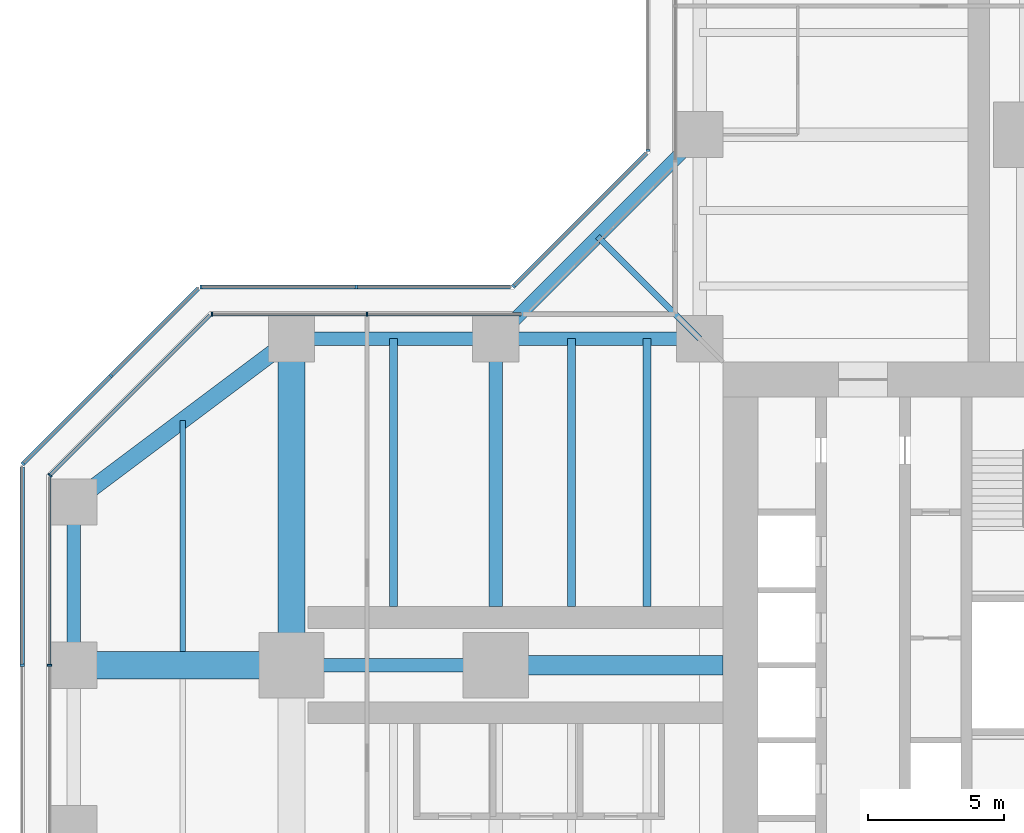
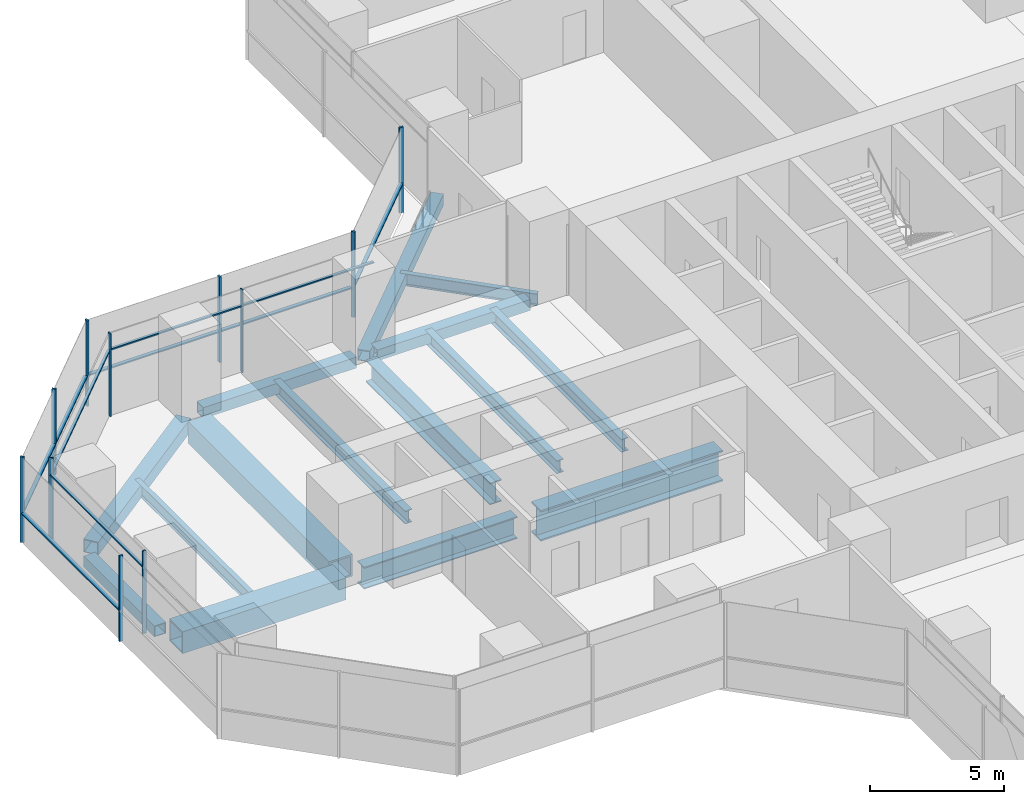
# One storey, part 8 of 22: 21 members, 15 beams, 8 elements without a shape of their own.
"""IFC4 building model written with IfcOpenShell, lengths in metres."""

from ifc_helpers import new_model, si_unit, direction, frame, origin, origin_2d, place, context, subcontext, project, spatial, rectangle, hollow_rectangle, i_section, extrude, material, material_profile, profile_set, type_object, element, aggregate, save


model = new_model("IFC4")

# Units and contexts
model_context = context("Model", 3, precision=1e-05, world=origin(), true_north=direction((0.0, 1.0)))
body_context = subcontext(model_context, "Body", "Model", "MODEL_VIEW")
ifc_project = project(units=[si_unit("LENGTHUNIT", "METRE"), si_unit("AREAUNIT", "SQUARE_METRE"), si_unit("VOLUMEUNIT", "CUBIC_METRE"), si_unit("PLANEANGLEUNIT", "RADIAN"), si_unit("MASSUNIT", "GRAM", prefix="KILO")], contexts=[model_context])

# Site, building, storey
site_placement = place(None, origin())
site = spatial("IfcSite", under=ifc_project, at=site_placement, CompositionType="ELEMENT")
building_placement = place(site_placement, origin())
building = spatial("IfcBuilding", under=site, at=building_placement, Name="Mizan Broadcast Tower", CompositionType="ELEMENT")
storey_placement = place(building_placement, frame((0.0, 0.0, 47.39990234375)))
storey = spatial("IfcBuildingStorey", under=building, at=storey_placement, Name="L08", CompositionType="ELEMENT", Elevation=47.39990234375)

# Beams
ifc_material_1 = material(Name="Steel S355", Category="steel")
ifc_material_profile_1 = material_profile(ifc_material_1, hollow_rectangle(XDim=0.5, YDim=0.5, WallThickness=0.030029296875, at=origin_2d()), Name="BOX 500x500x30")
ifc_profile_set_1 = profile_set([ifc_material_profile_1], Name="Steel S355")
beam_type_1 = type_object("IfcBeamType", Name="EDGE BEAM BOX 500x500x30", PredefinedType="SPANDREL", material=ifc_profile_set_1)
for number, where, z_axis, x_axis, name in (
    (1, (-12.449951171875, 12.0, -0.3798828125), (-1.0, 0.0, 0.0), (0.0, -1.0, 0.0), "Edge beam BOX 500x500x30 L08 west arm"),
    (2, (-19.949951171875, 12.0, -0.3798828125), (-1.0, 0.0, 0.0), (0.0, -1.0, 0.0), "Edge beam BOX 500x500x30 L08 west arm"),
):
    element("IfcBeam", number, at=place(storey_placement, frame(where, z_axis=z_axis, x_axis=x_axis)), inside=storey, type_object=beam_type_1, Name=name, PredefinedType="SPANDREL", context=body_context, shape_type="SweptSolid", body=[
        extrude(hollow_rectangle(XDim=0.5, YDim=0.5, WallThickness=0.030029296875, at=origin_2d()), origin(), (0.0, 0.0, 1.0), 6.60009765625),
    ])
beam_1_placement = place(storey_placement, frame((-35.0, 5.639892578125, -0.3798828125), z_axis=(0.0, -1.0, 0.0), x_axis=(1.0, 0.0, 0.0)))
element("IfcBeam", 3, at=beam_1_placement, inside=storey, type_object=beam_type_1, Name="Edge beam BOX 500x500x30 L08 west arm", PredefinedType="SPANDREL", context=body_context, shape_type="SweptSolid", body=[
    extrude(hollow_rectangle(XDim=0.5, YDim=0.5, WallThickness=0.030029296875, at=origin_2d()), origin(), (0.0, 0.0, 1.0), 5.27978515625),
])
beam_2_placement = place(storey_placement, frame((-12.0, 19.5, -0.3798828125), z_axis=(-0.707106781187, -0.707106781187, 0.0), x_axis=(0.707106781187, -0.707106781187, 0.0)))
element("IfcBeam", 4, at=beam_2_placement, inside=storey, type_object=beam_type_1, Name="Winter garden edge beam L08 N", PredefinedType="SPANDREL", context=body_context, shape_type="SweptSolid", body=[
    extrude(hollow_rectangle(XDim=0.5, YDim=0.5, WallThickness=0.030029296875, at=origin_2d()), origin(), (0.0, 0.0, 1.0), 10.606689453125),
])
ifc_material_2 = material(Name="Steel S355", Category="steel")
ifc_material_profile_2 = material_profile(ifc_material_2, hollow_rectangle(XDim=0.60009765625, YDim=0.60009765625, WallThickness=0.030029296875, at=origin_2d()), Name="BOX 600x600x30")
ifc_profile_set_2 = profile_set([ifc_material_profile_2], Name="Steel S355")
beam_type_2 = type_object("IfcBeamType", Name="EDGE BEAM BOX 600x600x30", PredefinedType="SPANDREL", material=ifc_profile_set_2)
beam_3_placement = place(storey_placement, frame((-27.47998046875, 11.639892578125, -0.429931640625), z_axis=(-0.800013316712, -0.599982243973, 0.0), x_axis=(0.599982243973, -0.800013316712, 0.0)))
element("IfcBeam", 5, at=beam_3_placement, inside=storey, type_object=beam_type_2, Name="Edge beam BOX 600x600x30 L08 west arm", PredefinedType="SPANDREL", context=body_context, shape_type="SweptSolid", body=[
    extrude(hollow_rectangle(XDim=0.60009765625, YDim=0.60009765625, WallThickness=0.030029296875, at=origin_2d()), origin(), (0.0, 0.0, 1.0), 8.7998046875),
])
ifc_material_3 = material(Name="Steel S460", Category="steel")
ifc_material_profile_3 = material_profile(ifc_material_3, hollow_rectangle(XDim=1.0, YDim=1.0, WallThickness=0.06005859375, at=origin_2d()), Name="BOX 1000x1000x60")
ifc_profile_set_3 = profile_set([ifc_material_profile_3], Name="Steel S460")
beam_type_3 = type_object("IfcBeamType", Name="GIRDER BOX 1000x1000x60", PredefinedType="BEAM", material=ifc_profile_set_3)
beam_4_placement = place(storey_placement, frame((-27.47998046875, 0.0, -0.6298828125), z_axis=(-1.0, 0.0, 0.0), x_axis=(0.0, -1.0, 0.0)))
element("IfcBeam", 6, at=beam_4_placement, inside=storey, type_object=beam_type_3, Name="Girder BOX 1000x1000x60 L08 west arm", PredefinedType="BEAM", context=body_context, shape_type="SweptSolid", body=[
    extrude(hollow_rectangle(XDim=1.0, YDim=1.0, WallThickness=0.06005859375, at=origin_2d()), origin(), (0.0, 0.0, 1.0), 7.0400390625),
])
ifc_material_4 = material(Name="Steel S460", Category="steel")
ifc_material_profile_4 = material_profile(ifc_material_4, hollow_rectangle(XDim=1.0, YDim=1.0, WallThickness=0.080078125, at=origin_2d()), Name="BOX 1000x1000x80")
ifc_profile_set_4 = profile_set([ifc_material_profile_4], Name="Steel S460")
beam_type_4 = type_object("IfcBeamType", Name="GIRDER BOX 1000x1000x80", PredefinedType="BEAM", material=ifc_profile_set_4)
beam_5_placement = place(storey_placement, frame((-27.0, 11.280029296875, -0.6298828125), z_axis=(0.0, -1.0, 0.0), x_axis=(1.0, 0.0, 0.0)))
element("IfcBeam", 7, at=beam_5_placement, inside=storey, type_object=beam_type_4, Name="Girder BOX 1000x1000x80 L08 west arm", PredefinedType="BEAM", context=body_context, shape_type="SweptSolid", body=[
    extrude(hollow_rectangle(XDim=1.0, YDim=1.0, WallThickness=0.080078125, at=origin_2d()), origin(), (0.0, 0.0, 1.0), 10.56005859375),
])
ifc_material_5 = material(Name="Steel S460", Category="steel")
ifc_material_profile_5 = material_profile(ifc_material_5, i_section(OverallWidth=0.5, OverallDepth=1.0, WebThickness=0.02490234375, FlangeThickness=0.050048828125, at=origin_2d()), Name="WPG 1000x500")
ifc_profile_set_5 = profile_set([ifc_material_profile_5], Name="Steel S460")
beam_type_5 = type_object("IfcBeamType", Name="GIRDER WPG 1000x500", PredefinedType="BEAM", material=ifc_profile_set_5)
beam_6_placement = place(storey_placement, frame((-19.949951171875, 0.0, -0.6298828125), z_axis=(-1.0, 0.0, 0.0), x_axis=(0.0, -1.0, 0.0)))
element("IfcBeam", 8, at=beam_6_placement, inside=storey, type_object=beam_type_5, Name="Girder WPG 1000x500 L08 west arm", PredefinedType="BEAM", context=body_context, shape_type="SweptSolid", body=[
    extrude(i_section(OverallWidth=0.5, OverallDepth=1.0, WebThickness=0.02490234375, FlangeThickness=0.050048828125, at=origin_2d()), origin(), (0.0, 0.0, 1.0), 6.60009765625),
])
beam_7_placement = place(storey_placement, frame((-19.5, 11.408935546875, -0.6298828125), z_axis=(0.0, -1.0, 0.0), x_axis=(1.0, 0.0, 0.0)))
element("IfcBeam", 9, at=beam_7_placement, inside=storey, type_object=beam_type_5, Name="Girder WPG 1000x500 L08 west arm", PredefinedType="BEAM", context=body_context, shape_type="SweptSolid", body=[
    extrude(i_section(OverallWidth=0.5, OverallDepth=1.0, WebThickness=0.02490234375, FlangeThickness=0.050048828125, at=origin_2d()), origin(), (0.0, 0.0, 1.0), 9.259033203125),
])
ifc_material_6 = material(Name="Steel S460", Category="steel")
ifc_material_profile_6 = material_profile(ifc_material_6, i_section(OverallWidth=0.699951171875, OverallDepth=1.39990234375, WebThickness=0.030029296875, FlangeThickness=0.070068359375, at=origin_2d()), Name="WPG 1400x700")
ifc_profile_set_6 = profile_set([ifc_material_profile_6], Name="Steel S460")
beam_type_6 = type_object("IfcBeamType", Name="GIRDER WPG 1400x700", PredefinedType="BEAM", material=ifc_profile_set_6)
beam_8_placement = place(storey_placement, frame((-11.14990234375, 0.0, -0.829833984375), z_axis=(-1.0, 0.0, 0.0), x_axis=(0.0, -1.0, 0.0)))
element("IfcBeam", 10, at=beam_8_placement, inside=storey, type_object=beam_type_6, Name="Girder WPG 1400x700 L08 west arm", PredefinedType="BEAM", context=body_context, shape_type="SweptSolid", body=[
    extrude(i_section(OverallWidth=0.699951171875, OverallDepth=1.39990234375, WebThickness=0.030029296875, FlangeThickness=0.070068359375, at=origin_2d()), origin(), (0.0, 0.0, 1.0), 7.84912109375),
])

# Curtain wall, members
ifc_material_7 = material(Name="Aluminium framed glazing", Category="aluminium")
curtain_wall_type_1 = type_object("IfcCurtainWallType", Name="INNER SKIN LOW ZONE", PredefinedType="USERDEFINED", material=ifc_material_7)
curtain_wall_1_placement = place(storey_placement, origin())
curtain_wall_1 = element("IfcCurtainWall", 11, at=curtain_wall_1_placement, inside=storey, type_object=curtain_wall_type_1, Name="Inner skin low zone L08 W side", ObjectType="INNER SKIN LOW ZONE", PredefinedType="USERDEFINED")
ifc_material_8 = material(Name="Aluminium, pale anodised", Category="aluminium")
ifc_material_profile_7 = material_profile(ifc_material_8, rectangle(XDim=0.159912109375, YDim=0.06005859375, at=origin_2d()), Name="MULLION 160x60")
ifc_profile_set_7 = profile_set([ifc_material_profile_7], Name="Aluminium, pale anodised")
member_type_1 = type_object("IfcMemberType", Name="INNER SKIN MULLION 60x160", PredefinedType="MULLION", material=ifc_profile_set_7)
member_1_placement = place(storey_placement, frame((-24.229248046875, 12.89990234375, 0.0), z_axis=(0.0, 0.0, 1.0), x_axis=(0.0, -1.0, 0.0)))
member_1 = element("IfcMember", 12, at=member_1_placement, type_object=member_type_1, Name="Inner skin low zone L08 W side mullion 2", PredefinedType="MULLION", context=body_context, shape_type="SweptSolid", body=[
    extrude(rectangle(XDim=0.159912109375, YDim=0.06005859375, at=origin_2d()), origin(), (0.0, 0.0, 1.0), 3.77001953125),
])
member_2_placement = place(storey_placement, frame((-29.928466796875, 12.89990234375, 0.0), z_axis=(0.0, 0.0, 1.0), x_axis=(0.0, -1.0, 0.0)))
member_2 = element("IfcMember", 13, at=member_2_placement, type_object=member_type_1, Name="Inner skin low zone L08 W side mullion 3", PredefinedType="MULLION", context=body_context, shape_type="SweptSolid", body=[
    extrude(rectangle(XDim=0.159912109375, YDim=0.06005859375, at=origin_2d()), origin(), (0.0, 0.0, 1.0), 3.77001953125),
])

# Curtain wall, member
curtain_wall_2_placement = place(storey_placement, origin())
curtain_wall_2 = element("IfcCurtainWall", 14, at=curtain_wall_2_placement, inside=storey, type_object=curtain_wall_type_1, Name="Inner skin low zone L08 W chamfer", ObjectType="INNER SKIN LOW ZONE", PredefinedType="USERDEFINED")
member_3_placement = place(storey_placement, frame((-35.87890625, 6.979736328125, 0.0), z_axis=(0.0, 0.0, 1.0), x_axis=(0.707106781187, -0.707106781187, 0.0)))
member_3 = element("IfcMember", 15, at=member_3_placement, type_object=member_type_1, Name="Inner skin low zone L08 W chamfer mullion 2", PredefinedType="MULLION", context=body_context, shape_type="SweptSolid", body=[
    extrude(rectangle(XDim=0.159912109375, YDim=0.06005859375, at=origin_2d()), origin(), (0.0, 0.0, 1.0), 3.77001953125),
])

curtain_wall_3_placement = place(storey_placement, origin())
curtain_wall_3 = element("IfcCurtainWall", 16, at=curtain_wall_3_placement, inside=storey, type_object=curtain_wall_type_1, Name="Inner skin low zone L08 W end", ObjectType="INNER SKIN LOW ZONE", PredefinedType="USERDEFINED")
member_4_placement = place(storey_placement, frame((-35.89990234375, 0.0, 0.0), z_axis=(0.0, 0.0, 1.0), x_axis=(1.0, 0.0, 0.0)))
member_4 = element("IfcMember", 17, at=member_4_placement, type_object=member_type_1, Name="Inner skin low zone L08 W end mullion 2", PredefinedType="MULLION", context=body_context, shape_type="SweptSolid", body=[
    extrude(rectangle(XDim=0.159912109375, YDim=0.06005859375, at=origin_2d()), origin(), (0.0, 0.0, 1.0), 3.77001953125),
])

# Member
ifc_material_9 = material(Name="Aluminium, pale anodised", Category="aluminium")
ifc_material_profile_8 = material_profile(ifc_material_9, rectangle(XDim=0.1201171875, YDim=0.06005859375, at=origin_2d()), Name="TRANSOM 120x60")
ifc_profile_set_8 = profile_set([ifc_material_profile_8], Name="Aluminium, pale anodised")
member_type_2 = type_object("IfcMemberType", Name="INNER SKIN TRANSOM 60x120", PredefinedType="USERDEFINED", material=ifc_profile_set_8)
member_5_placement = place(storey_placement, frame((-18.56005859375, 12.89990234375, 3.030029296875), z_axis=(-1.0, 0.0, 0.0), x_axis=(0.0, -1.0, 0.0)))
member_5 = element("IfcMember", 18, at=member_5_placement, type_object=member_type_2, Name="Inner skin low zone L08 W side transom 1.1", ObjectType="TRANSOM", PredefinedType="USERDEFINED", context=body_context, shape_type="SweptSolid", body=[
    extrude(rectangle(XDim=0.1201171875, YDim=0.06005859375, at=origin_2d()), origin(), (0.0, 0.0, 1.0), 5.63916015625),
])

member_6_placement = place(storey_placement, frame((-24.25927734375, 12.89990234375, 3.030029296875), z_axis=(-1.0, 0.0, 0.0), x_axis=(0.0, -1.0, 0.0)))
member_6 = element("IfcMember", 19, at=member_6_placement, type_object=member_type_2, Name="Inner skin low zone L08 W side transom 2.1", ObjectType="TRANSOM", PredefinedType="USERDEFINED", context=body_context, shape_type="SweptSolid", body=[
    extrude(rectangle(XDim=0.1201171875, YDim=0.06005859375, at=origin_2d()), origin(), (0.0, 0.0, 1.0), 5.639404296875),
])

aggregate(curtain_wall_1, [member_1, member_2, member_5, member_6])

member_7_placement = place(storey_placement, frame((-30.0009765625, 12.857666015625, 3.030029296875), z_axis=(-0.707106781187, -0.707106781187, 0.0), x_axis=(0.707106781187, -0.707106781187, 0.0)))
member_7 = element("IfcMember", 20, at=member_7_placement, type_object=member_type_2, Name="Inner skin low zone L08 W chamfer transom 1.1", ObjectType="TRANSOM", PredefinedType="USERDEFINED", context=body_context, shape_type="SweptSolid", body=[
    extrude(rectangle(XDim=0.1201171875, YDim=0.06005859375, at=origin_2d()), origin(), (0.0, 0.0, 1.0), 8.28271484375),
])

aggregate(curtain_wall_2, [member_3, member_7])

member_8_placement = place(storey_placement, frame((-35.89990234375, 6.898681640625, 3.030029296875), z_axis=(0.0, -1.0, 0.0), x_axis=(1.0, 0.0, 0.0)))
member_8 = element("IfcMember", 21, at=member_8_placement, type_object=member_type_2, Name="Inner skin low zone L08 W end transom 1.1", ObjectType="TRANSOM", PredefinedType="USERDEFINED", context=body_context, shape_type="SweptSolid", body=[
    extrude(rectangle(XDim=0.1201171875, YDim=0.06005859375, at=origin_2d()), origin(), (0.0, 0.0, 1.0), 6.86865234375),
])

aggregate(curtain_wall_3, [member_4, member_8])

# Curtain wall, member
ifc_material_10 = material(Name="Aluminium framed glazing", Category="aluminium")
curtain_wall_type_2 = type_object("IfcCurtainWallType", Name="OUTER SKIN", PredefinedType="USERDEFINED", material=ifc_material_10)
curtain_wall_4_placement = place(storey_placement, origin())
curtain_wall_4 = element("IfcCurtainWall", 22, at=curtain_wall_4_placement, inside=storey, type_object=curtain_wall_type_2, Name="Outer skin L08 N side", ObjectType="OUTER SKIN", PredefinedType="USERDEFINED")
ifc_material_11 = material(Name="Aluminium, pale anodised", Category="aluminium")
ifc_material_profile_9 = material_profile(ifc_material_11, rectangle(XDim=0.159912109375, YDim=0.080078125, at=origin_2d()), Name="MULLION 160x80")
ifc_profile_set_9 = profile_set([ifc_material_profile_9], Name="Aluminium, pale anodised")
member_type_3 = type_object("IfcMemberType", Name="OUTER SKIN MULLION 80x160", PredefinedType="MULLION", material=ifc_profile_set_9)
member_9_placement = place(storey_placement, frame((-13.89990234375, 18.912841796875, 0.0), z_axis=(0.0, 0.0, 1.0), x_axis=(1.0, 0.0, 0.0)))
member_9 = element("IfcMember", 23, at=member_9_placement, type_object=member_type_3, Name="Outer skin L08 N side mullion 3", PredefinedType="MULLION", context=body_context, shape_type="SweptSolid", body=[
    extrude(rectangle(XDim=0.159912109375, YDim=0.080078125, at=origin_2d()), origin(), (0.0, 0.0, 1.0), 3.900146484375),
])
aggregate(curtain_wall_4, [member_9])

curtain_wall_5_placement = place(storey_placement, origin())
curtain_wall_5 = element("IfcCurtainWall", 24, at=curtain_wall_5_placement, inside=storey, type_object=curtain_wall_type_2, Name="Outer skin L08 W chamfer", ObjectType="OUTER SKIN", PredefinedType="USERDEFINED")
member_10_placement = place(storey_placement, frame((-18.844482421875, 13.92822265625, 0.0), z_axis=(0.0, 0.0, 1.0), x_axis=(0.707106781187, -0.707106781187, 0.0)))
member_10 = element("IfcMember", 25, at=member_10_placement, type_object=member_type_3, Name="Outer skin L08 W chamfer mullion 2", PredefinedType="MULLION", context=body_context, shape_type="SweptSolid", body=[
    extrude(rectangle(XDim=0.159912109375, YDim=0.080078125, at=origin_2d()), origin(), (0.0, 0.0, 1.0), 3.900146484375),
])

# Curtain wall, members
curtain_wall_6_placement = place(storey_placement, origin())
curtain_wall_6 = element("IfcCurtainWall", 26, at=curtain_wall_6_placement, inside=storey, type_object=curtain_wall_type_2, Name="Outer skin L08 W side", ObjectType="OUTER SKIN", PredefinedType="USERDEFINED")
member_11_placement = place(storey_placement, frame((-24.622802734375, 13.89990234375, 0.0), z_axis=(0.0, 0.0, 1.0), x_axis=(0.0, -1.0, 0.0)))
member_11 = element("IfcMember", 27, at=member_11_placement, type_object=member_type_3, Name="Outer skin L08 W side mullion 2", PredefinedType="MULLION", context=body_context, shape_type="SweptSolid", body=[
    extrude(rectangle(XDim=0.159912109375, YDim=0.080078125, at=origin_2d()), origin(), (0.0, 0.0, 1.0), 3.900146484375),
])
member_12_placement = place(storey_placement, frame((-30.332763671875, 13.89990234375, 0.0), z_axis=(0.0, 0.0, 1.0), x_axis=(0.0, -1.0, 0.0)))
member_12 = element("IfcMember", 28, at=member_12_placement, type_object=member_type_3, Name="Outer skin L08 W side mullion 3", PredefinedType="MULLION", context=body_context, shape_type="SweptSolid", body=[
    extrude(rectangle(XDim=0.159912109375, YDim=0.080078125, at=origin_2d()), origin(), (0.0, 0.0, 1.0), 3.900146484375),
])

curtain_wall_7_placement = place(storey_placement, origin())
curtain_wall_7 = element("IfcCurtainWall", 29, at=curtain_wall_7_placement, inside=storey, type_object=curtain_wall_type_2, Name="Outer skin L08 W chamfer", ObjectType="OUTER SKIN", PredefinedType="USERDEFINED")
member_13_placement = place(storey_placement, frame((-33.636474609375, 10.636474609375, 0.0), z_axis=(0.0, 0.0, 1.0), x_axis=(0.707106781187, -0.707106781187, 0.0)))
member_13 = element("IfcMember", 30, at=member_13_placement, type_object=member_type_3, Name="Outer skin L08 W chamfer mullion 2", PredefinedType="MULLION", context=body_context, shape_type="SweptSolid", body=[
    extrude(rectangle(XDim=0.159912109375, YDim=0.080078125, at=origin_2d()), origin(), (0.0, 0.0, 1.0), 3.900146484375),
])
member_14_placement = place(storey_placement, frame((-36.871826171875, 7.401123046875, 0.0), z_axis=(0.0, 0.0, 1.0), x_axis=(0.707106781187, -0.707106781187, 0.0)))
member_14 = element("IfcMember", 31, at=member_14_placement, type_object=member_type_3, Name="Outer skin L08 W chamfer mullion 3", PredefinedType="MULLION", context=body_context, shape_type="SweptSolid", body=[
    extrude(rectangle(XDim=0.159912109375, YDim=0.080078125, at=origin_2d()), origin(), (0.0, 0.0, 1.0), 3.900146484375),
])

# Curtain wall, member
curtain_wall_8_placement = place(storey_placement, origin())
curtain_wall_8 = element("IfcCurtainWall", 32, at=curtain_wall_8_placement, inside=storey, type_object=curtain_wall_type_2, Name="Outer skin L08 W end", ObjectType="OUTER SKIN", PredefinedType="USERDEFINED")
member_15_placement = place(storey_placement, frame((-36.89990234375, 0.0, 0.0), z_axis=(0.0, 0.0, 1.0), x_axis=(1.0, 0.0, 0.0)))
member_15 = element("IfcMember", 33, at=member_15_placement, type_object=member_type_3, Name="Outer skin L08 W end mullion 2", PredefinedType="MULLION", context=body_context, shape_type="SweptSolid", body=[
    extrude(rectangle(XDim=0.159912109375, YDim=0.080078125, at=origin_2d()), origin(), (0.0, 0.0, 1.0), 3.900146484375),
])

# Member
ifc_material_12 = material(Name="Aluminium, pale anodised", Category="aluminium")
ifc_material_profile_10 = material_profile(ifc_material_12, rectangle(XDim=0.159912109375, YDim=0.06005859375, at=origin_2d()), Name="TRANSOM 160x60")
ifc_profile_set_10 = profile_set([ifc_material_profile_10], Name="Aluminium, pale anodised")
member_type_4 = type_object("IfcMemberType", Name="OUTER SKIN TRANSOM 60x160", PredefinedType="USERDEFINED", material=ifc_profile_set_10)
member_16_placement = place(storey_placement, frame((-13.95654296875, 18.816162109375, 1.400146484375), z_axis=(-0.707106781187, -0.707106781187, 0.0), x_axis=(0.707106781187, -0.707106781187, 0.0)))
member_16 = element("IfcMember", 34, at=member_16_placement, type_object=member_type_4, Name="Outer skin L08 W chamfer transom 1.1", ObjectType="TRANSOM", PredefinedType="USERDEFINED", context=body_context, shape_type="SweptSolid", body=[
    extrude(rectangle(XDim=0.159912109375, YDim=0.06005859375, at=origin_2d()), origin(), (0.0, 0.0, 1.0), 6.87255859375),
])

aggregate(curtain_wall_5, [member_10, member_16])

member_17_placement = place(storey_placement, frame((-18.952880859375, 13.89990234375, 1.400146484375), z_axis=(-1.0, 0.0, 0.0), x_axis=(0.0, -1.0, 0.0)))
member_17 = element("IfcMember", 35, at=member_17_placement, type_object=member_type_4, Name="Outer skin L08 W side transom 1.1", ObjectType="TRANSOM", PredefinedType="USERDEFINED", context=body_context, shape_type="SweptSolid", body=[
    extrude(rectangle(XDim=0.159912109375, YDim=0.06005859375, at=origin_2d()), origin(), (0.0, 0.0, 1.0), 5.6298828125),
])

member_18_placement = place(storey_placement, frame((-24.662841796875, 13.89990234375, 1.400146484375), z_axis=(-1.0, 0.0, 0.0), x_axis=(0.0, -1.0, 0.0)))
member_18 = element("IfcMember", 36, at=member_18_placement, type_object=member_type_4, Name="Outer skin L08 W side transom 2.1", ObjectType="TRANSOM", PredefinedType="USERDEFINED", context=body_context, shape_type="SweptSolid", body=[
    extrude(rectangle(XDim=0.159912109375, YDim=0.06005859375, at=origin_2d()), origin(), (0.0, 0.0, 1.0), 5.6298828125),
])

aggregate(curtain_wall_6, [member_11, member_12, member_17, member_18])

member_19_placement = place(storey_placement, frame((-30.429443359375, 13.843505859375, 1.400146484375), z_axis=(-0.707106781187, -0.707106781187, 0.0), x_axis=(0.707106781187, -0.707106781187, 0.0)))
member_19 = element("IfcMember", 37, at=member_19_placement, type_object=member_type_4, Name="Outer skin L08 W chamfer transom 1.1", ObjectType="TRANSOM", PredefinedType="USERDEFINED", context=body_context, shape_type="SweptSolid", body=[
    extrude(rectangle(XDim=0.159912109375, YDim=0.06005859375, at=origin_2d()), origin(), (0.0, 0.0, 1.0), 4.495361328125),
])

member_20_placement = place(storey_placement, frame((-33.664794921875, 10.608154296875, 1.400146484375), z_axis=(-0.707106781187, -0.707106781187, 0.0), x_axis=(0.707106781187, -0.707106781187, 0.0)))
member_20 = element("IfcMember", 38, at=member_20_placement, type_object=member_type_4, Name="Outer skin L08 W chamfer transom 2.1", ObjectType="TRANSOM", PredefinedType="USERDEFINED", context=body_context, shape_type="SweptSolid", body=[
    extrude(rectangle(XDim=0.159912109375, YDim=0.06005859375, at=origin_2d()), origin(), (0.0, 0.0, 1.0), 4.495361328125),
])

aggregate(curtain_wall_7, [member_13, member_14, member_19, member_20])

member_21_placement = place(storey_placement, frame((-36.89990234375, 7.292724609375, 1.400146484375), z_axis=(0.0, -1.0, 0.0), x_axis=(1.0, 0.0, 0.0)))
member_21 = element("IfcMember", 39, at=member_21_placement, type_object=member_type_4, Name="Outer skin L08 W end transom 1.1", ObjectType="TRANSOM", PredefinedType="USERDEFINED", context=body_context, shape_type="SweptSolid", body=[
    extrude(rectangle(XDim=0.159912109375, YDim=0.06005859375, at=origin_2d()), origin(), (0.0, 0.0, 1.0), 7.252685546875),
])

aggregate(curtain_wall_8, [member_15, member_21])

# Beams
ifc_material_13 = material(Name="Steel S355", Category="steel")
ifc_material_profile_11 = material_profile(ifc_material_13, i_section(OverallWidth=0.300048828125, OverallDepth=0.590087890625, WebThickness=0.012939453125, FlangeThickness=0.02490234375, FilletRadius=0.027099609375, at=origin_2d()), Name="HEA 600")
ifc_profile_set_11 = profile_set([ifc_material_profile_11], Name="Steel S355")
beam_type_7 = type_object("IfcBeamType", Name="SECONDARY BEAM HEA 600", PredefinedType="JOIST", material=ifc_profile_set_11)
for number, where, z_axis, x_axis, name in (
    (40, (-13.933349609375, 12.0, -0.4248046875), (0.0, -1.0, 0.0), (1.0, 0.0, 0.0), "Secondary beam HEA 600 L08 west arm"),
    (41, (-16.716552734375, 12.0, -0.4248046875), (0.0, -1.0, 0.0), (1.0, 0.0, 0.0), "Secondary beam HEA 600 L08 west arm"),
    (42, (-23.25, 12.0, -0.4248046875), (0.0, -1.0, 0.0), (1.0, 0.0, 0.0), "Secondary beam HEA 600 L08 west arm"),
):
    element("IfcBeam", number, at=place(storey_placement, frame(where, z_axis=z_axis, x_axis=x_axis)), inside=storey, type_object=beam_type_7, Name=name, PredefinedType="JOIST", context=body_context, shape_type="SweptSolid", body=[
        extrude(i_section(OverallWidth=0.300048828125, OverallDepth=0.590087890625, WebThickness=0.012939453125, FlangeThickness=0.02490234375, FilletRadius=0.027099609375, at=origin_2d()), origin(), (0.0, 0.0, 1.0), 9.85009765625),
    ])
ifc_material_14 = material(Name="Steel S355", Category="steel")
ifc_material_profile_12 = material_profile(ifc_material_14, i_section(OverallWidth=0.2099609375, OverallDepth=0.550048828125, WebThickness=0.010986328125, FlangeThickness=0.01708984375, FilletRadius=0.02392578125, at=origin_2d()), Name="IPE 550")
ifc_profile_set_12 = profile_set([ifc_material_profile_12], Name="Steel S355")
beam_type_8 = type_object("IfcBeamType", Name="SECONDARY BEAM IPE 550", PredefinedType="JOIST", material=ifc_profile_set_12)
beam_9_placement = place(storey_placement, frame((-31.0, 9.0, -0.40478515625), z_axis=(0.0, -1.0, 0.0), x_axis=(1.0, 0.0, 0.0)))
element("IfcBeam", 43, at=beam_9_placement, inside=storey, type_object=beam_type_8, Name="Secondary beam IPE 550 L08 west arm", PredefinedType="JOIST", context=body_context, shape_type="SweptSolid", body=[
    extrude(i_section(OverallWidth=0.2099609375, OverallDepth=0.550048828125, WebThickness=0.010986328125, FlangeThickness=0.01708984375, FilletRadius=0.02392578125, at=origin_2d()), origin(), (0.0, 0.0, 1.0), 8.5),
])
beam_10_placement = place(storey_placement, frame((-12.0, 12.0, -0.40478515625), z_axis=(-0.707106781187, 0.707106781187, 0.0), x_axis=(-0.707106781187, -0.707106781187, 0.0)))
element("IfcBeam", 44, at=beam_10_placement, inside=storey, type_object=beam_type_8, Name="Winter garden beam L08 N", PredefinedType="JOIST", context=body_context, shape_type="SweptSolid", body=[
    extrude(i_section(OverallWidth=0.2099609375, OverallDepth=0.550048828125, WebThickness=0.010986328125, FlangeThickness=0.01708984375, FilletRadius=0.02392578125, at=origin_2d()), origin(), (0.0, 0.0, 1.0), 5.30322265625),
])

save(model, "model.ifc")
